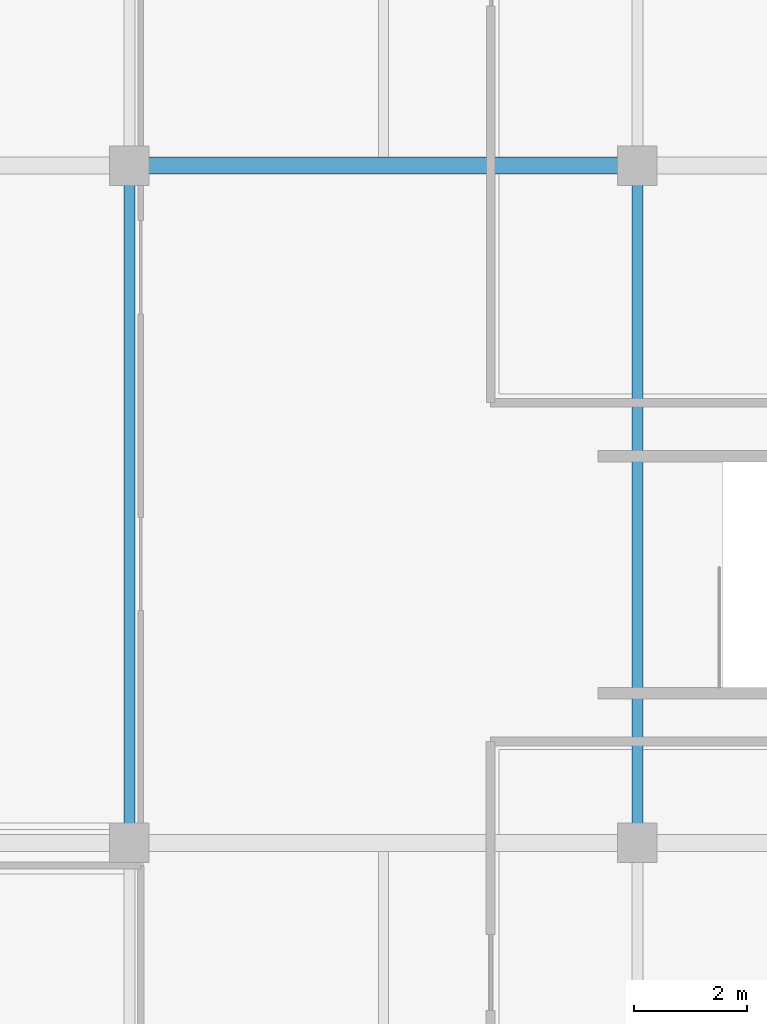
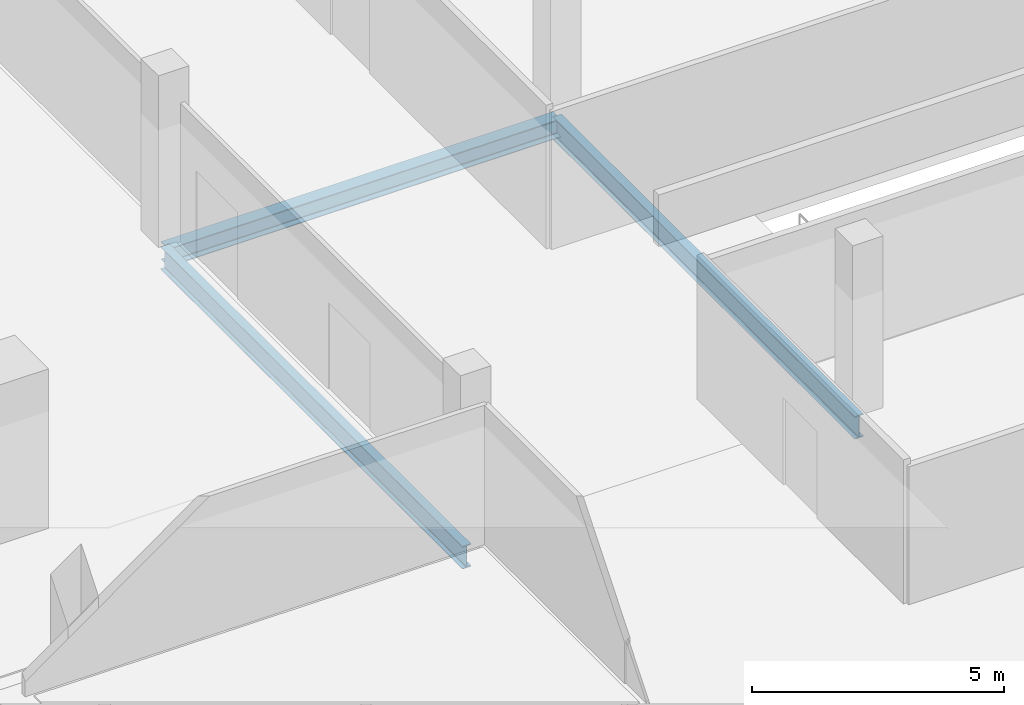
# One storey, part 74 of 136: 3 beams.
"""IFC4 building model written with IfcOpenShell, lengths in metres."""

from ifc_helpers import new_model, si_unit, direction, frame, origin, origin_2d, place, context, subcontext, project, spatial, i_section, extrude, material, material_profile, profile_set, type_object, element, save


model = new_model("IFC4")

# Units and contexts
model_context = context("Model", 3, precision=1e-05, world=origin(), true_north=direction((0.0, 1.0)))
body_context = subcontext(model_context, "Body", "Model", "MODEL_VIEW")
ifc_project = project(units=[si_unit("LENGTHUNIT", "METRE"), si_unit("AREAUNIT", "SQUARE_METRE"), si_unit("VOLUMEUNIT", "CUBIC_METRE"), si_unit("PLANEANGLEUNIT", "RADIAN"), si_unit("MASSUNIT", "GRAM", prefix="KILO")], contexts=[model_context])

# Site, building, storey
site_placement = place(None, origin())
site = spatial("IfcSite", under=ifc_project, at=site_placement, CompositionType="ELEMENT")
building_placement = place(site_placement, origin())
building = spatial("IfcBuilding", under=site, at=building_placement, Name="Chuanluo Vaults Station", CompositionType="ELEMENT")
storey_placement = place(building_placement, frame((0.0, 0.0, 6.60009765625)))
storey = spatial("IfcBuildingStorey", under=building, at=storey_placement, Name="L01", CompositionType="ELEMENT", Elevation=6.60009765625)

# Beams
ifc_material_1 = material(Name="Steel Q355C", Category="steel")
ifc_material_profile_1 = material_profile(ifc_material_1, i_section(OverallWidth=0.300048828125, OverallDepth=0.43994140625, WebThickness=0.010986328125, FlangeThickness=0.01806640625, FilletRadius=0.02001953125, at=origin_2d()))
ifc_profile_set_1 = profile_set([ifc_material_profile_1], Name="Steel Q355C")
beam_type_1 = type_object("IfcBeamType", Name="BM-GRD-450", PredefinedType="USERDEFINED", material=ifc_profile_set_1)
beam_placement = place(storey_placement, frame((163.0, 42.0, -0.460205078125), z_axis=(1.0, 0.0, 0.0), x_axis=(0.0, 1.0, 0.0)))
element("IfcBeam", 1, at=beam_placement, inside=storey, type_object=beam_type_1, Name="Floor girder BM:GX:L01:0320", ObjectType="GIRDER", PredefinedType="USERDEFINED", context=body_context, shape_type="SweptSolid", body=[
    extrude(i_section(OverallWidth=0.300048828125, OverallDepth=0.43994140625, WebThickness=0.010986328125, FlangeThickness=0.01806640625, FilletRadius=0.02001953125, at=origin_2d()), origin(), (0.0, 0.0, 1.0), 9.0),
])
ifc_material_2 = material(Name="Steel Q355C", Category="steel")
ifc_material_profile_2 = material_profile(ifc_material_2, i_section(OverallWidth=0.199951171875, OverallDepth=0.550048828125, WebThickness=0.010009765625, FlangeThickness=0.01611328125, FilletRadius=0.01806640625, at=origin_2d()))
ifc_profile_set_2 = profile_set([ifc_material_profile_2], Name="Steel Q355C")
beam_type_2 = type_object("IfcBeamType", Name="BM-GRD-550", PredefinedType="USERDEFINED", material=ifc_profile_set_2)
for number, where, z_axis, x_axis, name in (
    (2, (163.0, 30.0, -0.51513671875), (0.0, 1.0, 0.0), (-1.0, 0.0, 0.0), "Floor girder BM:GY:L01:0491"),
    (3, (172.0, 30.0, -0.51513671875), (0.0, 1.0, 0.0), (-1.0, 0.0, 0.0), "Floor girder BM:GY:L01:0503"),
):
    element("IfcBeam", number, at=place(storey_placement, frame(where, z_axis=z_axis, x_axis=x_axis)), inside=storey, type_object=beam_type_2, Name=name, ObjectType="GIRDER", PredefinedType="USERDEFINED", context=body_context, shape_type="SweptSolid", body=[
        extrude(i_section(OverallWidth=0.199951171875, OverallDepth=0.550048828125, WebThickness=0.010009765625, FlangeThickness=0.01611328125, FilletRadius=0.01806640625, at=origin_2d()), origin(), (0.0, 0.0, 1.0), 12.0),
    ])

save(model, "model.ifc")
